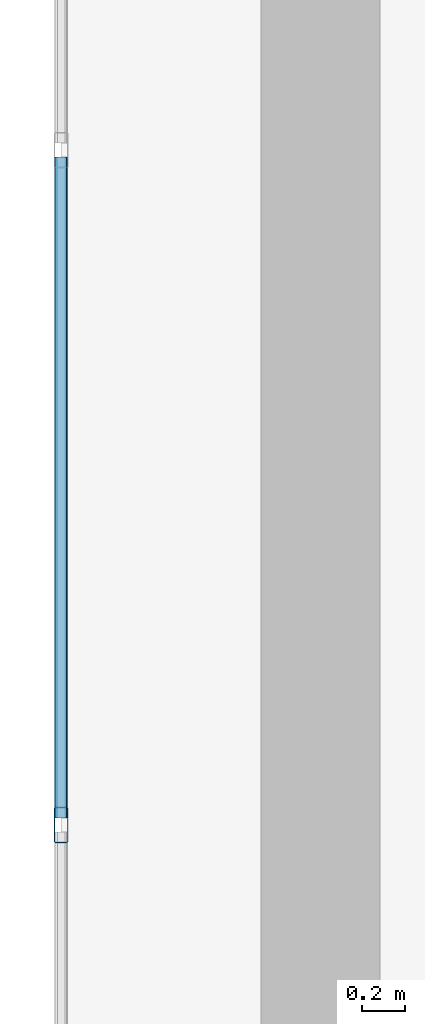
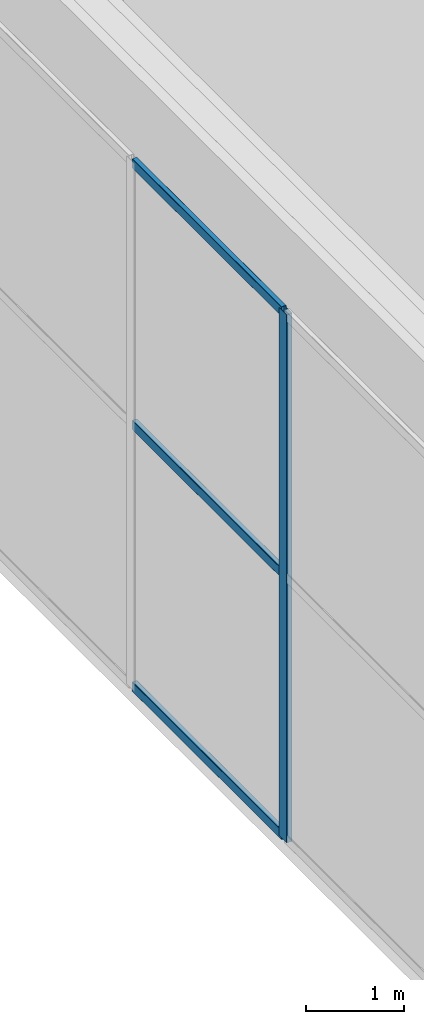
# One storey, part 5 of 19: 4 members, 1 element without a shape of its own.
"""IFC4 building model written with IfcOpenShell, lengths in metres."""

from ifc_helpers import new_model, si_unit, direction, frame, origin, origin_2d, place, context, subcontext, project, spatial, hollow_rectangle, extrude, material, layer, layer_set, material_profile, profile_set, type_object, element, aggregate, save


model = new_model("IFC4")

# Units and contexts
model_context = context("Model", 3, precision=1e-05, world=origin(), true_north=direction((0.0, 1.0)))
body_context = subcontext(model_context, "Body", "Model", "MODEL_VIEW")
ifc_project = project(units=[si_unit("LENGTHUNIT", "METRE"), si_unit("AREAUNIT", "SQUARE_METRE"), si_unit("VOLUMEUNIT", "CUBIC_METRE"), si_unit("PLANEANGLEUNIT", "RADIAN"), si_unit("MASSUNIT", "GRAM", prefix="KILO")], contexts=[model_context])

# Site, building, storey
site_placement = place(None, origin())
site = spatial("IfcSite", under=ifc_project, at=site_placement, CompositionType="ELEMENT")
building_placement = place(site_placement, origin())
building = spatial("IfcBuilding", under=site, at=building_placement, Name="An Khanh Terracotta Commons", CompositionType="ELEMENT")
storey_placement = place(building_placement, frame((0.0, 0.0, 328.800048828125)))
storey = spatial("IfcBuildingStorey", under=building, at=storey_placement, Name="L82 Crown Faceted Taper", CompositionType="ELEMENT", Elevation=328.800048828125)

# Curtain wall, members
ifc_material = material(Name="Anodised Aluminium 6063-T6", Category="aluminium")
ifc_layer = layer(ifc_material, 0.18994140625, Name="Anodised Aluminium 6063-T6")
ifc_layer_set = layer_set([ifc_layer], Name="Anodised Aluminium 6063-T6")
curtain_wall_type = type_object("IfcCurtainWallType", Name="CW-SYS-06", PredefinedType="USERDEFINED", material=ifc_layer_set)
curtain_wall_placement = place(storey_placement, origin())
curtain_wall = element("IfcCurtainWall", 1, at=curtain_wall_placement, inside=storey, type_object=curtain_wall_type, Name="L82 Crown Faceted Taper CW-06 Unitised Curtain Wall CW-L82-24", ObjectType="UNITISED CURTAIN WALL", PredefinedType="USERDEFINED")
ifc_material_profile_1 = material_profile(ifc_material, hollow_rectangle(XDim=0.06494140625, YDim=0.1650390625, WallThickness=0.00390625, InnerFilletRadius=0.00390625, OuterFilletRadius=0.008056640625, at=origin_2d()), Name="RHS165x65x4")
ifc_profile_set_1 = profile_set([ifc_material_profile_1], Name="Anodised Aluminium 6063-T6")
member_type_1 = type_object("IfcMemberType", Name="CWM-RHS165x65x4", PredefinedType="MULLION", material=ifc_profile_set_1)
member_1_placement = place(storey_placement, frame((20.39990234375, 22.43994140625, 0.0), z_axis=(0.0, 0.0, 1.0), x_axis=(1.0, 0.0, 0.0)))
member_1 = element("IfcMember", 2, at=member_1_placement, type_object=member_type_1, Name="CW-06 mullion 4", PredefinedType="MULLION", context=body_context, shape_type="SweptSolid", body=[
    extrude(hollow_rectangle(XDim=0.06494140625, YDim=0.1650390625, WallThickness=0.00390625, InnerFilletRadius=0.00390625, OuterFilletRadius=0.008056640625, at=origin_2d()), origin(), (0.0, 0.0, 1.0), 6.599853515625),
])
ifc_material_profile_2 = material_profile(ifc_material, hollow_rectangle(XDim=0.06005859375, YDim=0.1201171875, WallThickness=0.003662109375, InnerFilletRadius=0.003662109375, OuterFilletRadius=0.007080078125, at=origin_2d()), Name="RHS120x60x3.6")
ifc_profile_set_2 = profile_set([ifc_material_profile_2], Name="Anodised Aluminium 6063-T6")
member_type_2 = type_object("IfcMemberType", Name="CWT-RHS120x60x3.6", PredefinedType="USERDEFINED", material=ifc_profile_set_2)
member_2_placement = place(storey_placement, frame((20.39990234375, 25.527587890625, 0.030029296875), z_axis=(0.0, -1.0, 0.0), x_axis=(1.0, 0.0, 0.0)))
member_2 = element("IfcMember", 3, at=member_2_placement, type_object=member_type_2, Name="CW-06 transom 3.1", ObjectType="TRANSOM", PredefinedType="USERDEFINED", context=body_context, shape_type="SweptSolid", body=[
    extrude(hollow_rectangle(XDim=0.06005859375, YDim=0.1201171875, WallThickness=0.003662109375, InnerFilletRadius=0.003662109375, OuterFilletRadius=0.007080078125, at=origin_2d()), origin(), (0.0, 0.0, 1.0), 3.05517578125),
])
member_3_placement = place(storey_placement, frame((20.39990234375, 25.527587890625, 3.300048828125), z_axis=(0.0, -1.0, 0.0), x_axis=(1.0, 0.0, 0.0)))
member_3 = element("IfcMember", 4, at=member_3_placement, type_object=member_type_2, Name="CW-06 transom 3.2", ObjectType="TRANSOM", PredefinedType="USERDEFINED", context=body_context, shape_type="SweptSolid", body=[
    extrude(hollow_rectangle(XDim=0.06005859375, YDim=0.1201171875, WallThickness=0.003662109375, InnerFilletRadius=0.003662109375, OuterFilletRadius=0.007080078125, at=origin_2d()), origin(), (0.0, 0.0, 1.0), 3.05517578125),
])
member_4_placement = place(storey_placement, frame((20.39990234375, 25.527587890625, 6.570068359375), z_axis=(0.0, -1.0, 0.0), x_axis=(1.0, 0.0, 0.0)))
member_4 = element("IfcMember", 5, at=member_4_placement, type_object=member_type_2, Name="CW-06 transom 3.3", ObjectType="TRANSOM", PredefinedType="USERDEFINED", context=body_context, shape_type="SweptSolid", body=[
    extrude(hollow_rectangle(XDim=0.06005859375, YDim=0.1201171875, WallThickness=0.003662109375, InnerFilletRadius=0.003662109375, OuterFilletRadius=0.007080078125, at=origin_2d()), origin(), (0.0, 0.0, 1.0), 3.05517578125),
])
aggregate(curtain_wall, [member_1, member_2, member_3, member_4])

save(model, "model.ifc")
